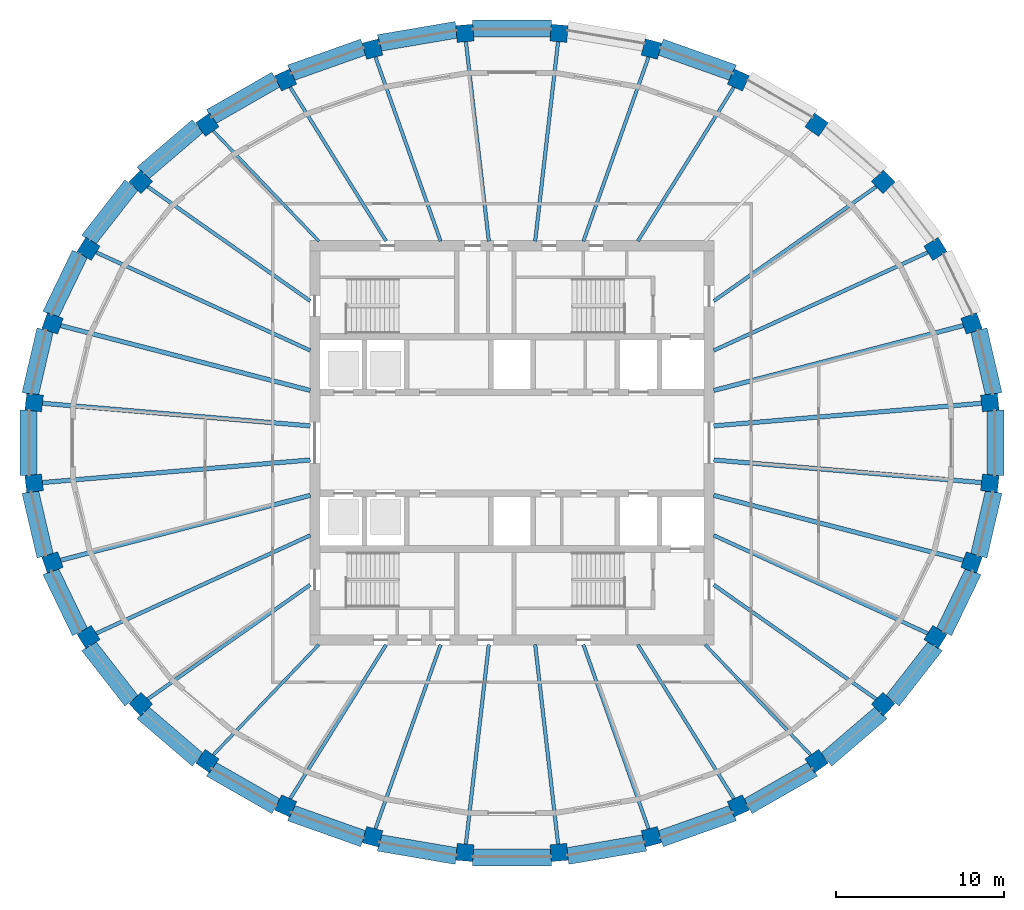
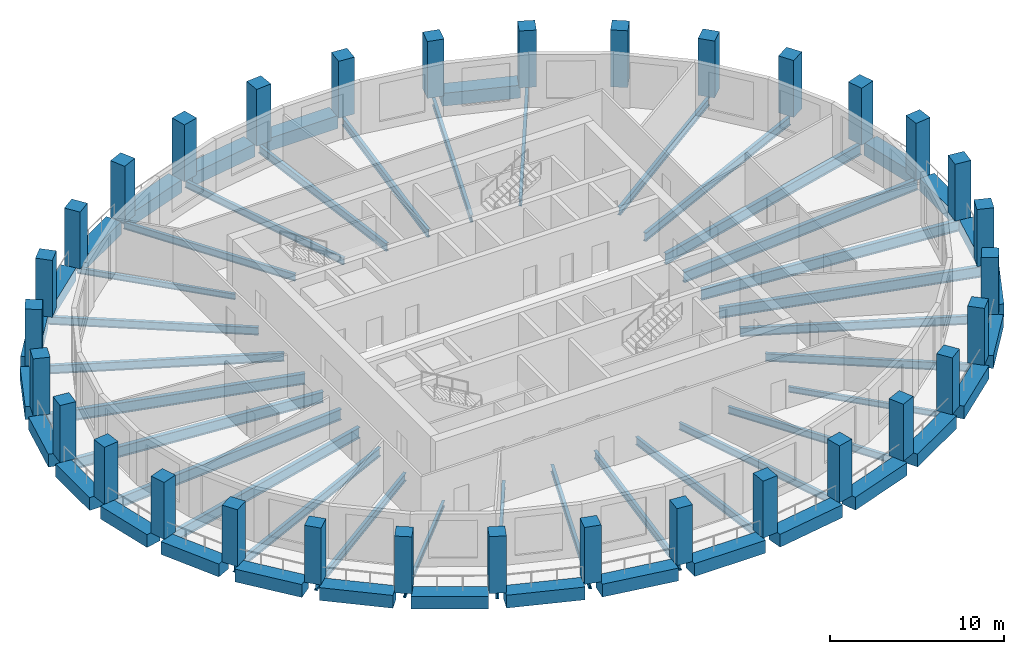
# One storey, part 1 of 10: 58 beams, 32 columns.
"""IFC4 building model written with IfcOpenShell, lengths in metres."""

from ifc_helpers import new_model, si_unit, direction, frame, origin, origin_2d, place, context, subcontext, project, spatial, rectangle, i_section, extrude, material, material_profile, profile_set, type_object, element, save


model = new_model("IFC4")

# Units and contexts
model_context = context("Model", 3, precision=1e-05, world=origin(), true_north=direction((0.0, 1.0)))
body_context = subcontext(model_context, "Body", "Model", "MODEL_VIEW")
ifc_project = project(units=[si_unit("LENGTHUNIT", "METRE"), si_unit("AREAUNIT", "SQUARE_METRE"), si_unit("VOLUMEUNIT", "CUBIC_METRE"), si_unit("PLANEANGLEUNIT", "RADIAN"), si_unit("MASSUNIT", "GRAM", prefix="KILO")], contexts=[model_context])

# Site, building, storey
site_placement = place(None, origin())
site = spatial("IfcSite", under=ifc_project, at=site_placement, CompositionType="ELEMENT")
building_placement = place(site_placement, origin())
building = spatial("IfcBuilding", under=site, at=building_placement, Name="Halqa Exchange Tower", CompositionType="ELEMENT")
storey_placement = place(building_placement, frame((0.0, 0.0, 312.300048828125)))
storey = spatial("IfcBuildingStorey", under=building, at=storey_placement, Name="L73", CompositionType="ELEMENT", Elevation=312.300048828125)

# Columns
ifc_material_1 = material(Name="Concrete C50/60", Category="concrete")
ifc_material_profile_1 = material_profile(ifc_material_1, rectangle(XDim=1.0, YDim=1.0, at=origin_2d()), Name="1000 x 1000")
ifc_profile_set_1 = profile_set([ifc_material_profile_1], Name="Concrete C50/60")
column_type = type_object("IfcColumnType", Name="RC ring column 1000 x 1000 C50/60", PredefinedType="COLUMN", material=ifc_profile_set_1)
for number, where, z_axis, x_axis, name in (
    (1, (28.36279296875, 2.394287109375, 0.0), (0.0, 0.0, 1.0), (-0.114160389816, 0.993462332148, 0.0), "Ring column 1"),
    (2, (27.272705078125, 7.09130859375, 0.0), (0.0, 0.0, 1.0), (-0.333624233576, 0.942706142321, 0.0), "Ring column 2"),
    (3, (25.134765625, 11.515625, 0.0), (0.0, 0.0, 1.0), (-0.529140496257, 0.848534227489, 0.0), "Ring column 3"),
    (4, (22.03076171875, 15.497314453125, 0.0), (0.0, 0.0, 1.0), (-0.691578612608, 0.722301199351, 0.0), "Ring column 4"),
    (5, (18.080078125, 18.883544921875, 0.0), (0.0, 0.0, 1.0), (-0.817906779671, 0.575350762377, 0.0), "Ring column 5"),
    (6, (13.434814453125, 21.544189453125, 0.0), (0.0, 0.0, 1.0), (-0.909128549752, 0.416515641994, 0.0), "Ring column 6"),
    (7, (8.273193359375, 23.376708984375, 0.0), (0.0, 0.0, 1.0), (-0.967819064366, 0.251647091481, 0.0), "Ring column 7"),
    (8, (2.79345703125, 24.31103515625, 0.0), (0.0, 0.0, 1.0), (-0.996455078514, 0.084126550533, 0.0), "Ring column 8"),
    (9, (-2.79345703125, 24.31103515625, 0.0), (0.0, 0.0, 1.0), (-0.996455078514, -0.084126550533, 0.0), "Ring column 9"),
    (10, (-8.273193359375, 23.376708984375, 0.0), (0.0, 0.0, 1.0), (-0.967819064366, -0.251647091481, 0.0), "Ring column 10"),
    (11, (-13.434814453125, 21.544189453125, 0.0), (0.0, 0.0, 1.0), (-0.909128549752, -0.416515641994, 0.0), "Ring column 11"),
    (12, (-18.080078125, 18.883544921875, 0.0), (0.0, 0.0, 1.0), (-0.817906779671, -0.575350762377, 0.0), "Ring column 12"),
    (13, (-22.03076171875, 15.497314453125, 0.0), (0.0, 0.0, 1.0), (-0.691578612608, -0.722301199351, 0.0), "Ring column 13"),
    (14, (-25.134765625, 11.515625, 0.0), (0.0, 0.0, 1.0), (-0.529140496257, -0.848534227489, 0.0), "Ring column 14"),
    (15, (-27.272705078125, 7.09130859375, 0.0), (0.0, 0.0, 1.0), (-0.333624233576, -0.942706142321, 0.0), "Ring column 15"),
    (16, (-28.36279296875, 2.394287109375, 0.0), (0.0, 0.0, 1.0), (-0.114160389816, -0.993462332148, 0.0), "Ring column 16"),
    (17, (-28.36279296875, -2.394287109375, 0.0), (0.0, 0.0, 1.0), (0.114160389816, -0.993462332148, 0.0), "Ring column 17"),
    (18, (-27.272705078125, -7.09130859375, 0.0), (0.0, 0.0, 1.0), (0.333624233576, -0.942706142321, 0.0), "Ring column 18"),
    (19, (-25.134765625, -11.515625, 0.0), (0.0, 0.0, 1.0), (0.529140496257, -0.848534227489, 0.0), "Ring column 19"),
    (20, (-22.03076171875, -15.497314453125, 0.0), (0.0, 0.0, 1.0), (0.691578612608, -0.722301199351, 0.0), "Ring column 20"),
    (21, (-18.080078125, -18.883544921875, 0.0), (0.0, 0.0, 1.0), (0.817906779671, -0.575350762377, 0.0), "Ring column 21"),
    (22, (-13.434814453125, -21.544189453125, 0.0), (0.0, 0.0, 1.0), (0.909128549752, -0.416515641994, 0.0), "Ring column 22"),
    (23, (-8.273193359375, -23.376708984375, 0.0), (0.0, 0.0, 1.0), (0.967819064366, -0.251647091481, 0.0), "Ring column 23"),
    (24, (-2.79345703125, -24.31103515625, 0.0), (0.0, 0.0, 1.0), (0.996455078514, -0.084126550533, 0.0), "Ring column 24"),
    (25, (2.79345703125, -24.31103515625, 0.0), (0.0, 0.0, 1.0), (0.996455078514, 0.084126550533, 0.0), "Ring column 25"),
    (26, (8.273193359375, -23.376708984375, 0.0), (0.0, 0.0, 1.0), (0.967819064366, 0.251647091481, 0.0), "Ring column 26"),
    (27, (13.434814453125, -21.544189453125, 0.0), (0.0, 0.0, 1.0), (0.909128549752, 0.416515641994, 0.0), "Ring column 27"),
    (28, (18.080078125, -18.883544921875, 0.0), (0.0, 0.0, 1.0), (0.817906779671, 0.575350762377, 0.0), "Ring column 28"),
    (29, (22.03076171875, -15.497314453125, 0.0), (0.0, 0.0, 1.0), (0.691578612608, 0.722301199351, 0.0), "Ring column 29"),
    (30, (25.134765625, -11.515625, 0.0), (0.0, 0.0, 1.0), (0.529140496257, 0.848534227489, 0.0), "Ring column 30"),
    (31, (27.272705078125, -7.09130859375, 0.0), (0.0, 0.0, 1.0), (0.333624233576, 0.942706142321, 0.0), "Ring column 31"),
    (32, (28.36279296875, -2.394287109375, 0.0), (0.0, 0.0, 1.0), (0.114160389816, 0.993462332148, 0.0), "Ring column 32"),
):
    element("IfcColumn", number, at=place(storey_placement, frame(where, z_axis=z_axis, x_axis=x_axis)), inside=storey, type_object=column_type, Name=name, PredefinedType="COLUMN", context=body_context, shape_type="SweptSolid", body=[
        extrude(rectangle(XDim=1.0, YDim=1.0, at=origin_2d()), origin(), (0.0, 0.0, 1.0), 4.0),
    ])

# Beams
ifc_material_2 = material(Name="Steel S355", Category="steel")
ifc_material_profile_2 = material_profile(ifc_material_2, i_section(OverallWidth=0.179931640625, OverallDepth=0.39990234375, WebThickness=0.008544921875, FlangeThickness=0.013427734375, FilletRadius=0.02099609375, at=origin_2d()), Name="IPE 400")
ifc_profile_set_2 = profile_set([ifc_material_profile_2], Name="Steel S355")
beam_type_1 = type_object("IfcBeamType", Name="Floor beam IPE 400", PredefinedType="BEAM", material=ifc_profile_set_2)
for number, where, z_axis, x_axis, name in (
    (33, (-11.46240234375, 11.9716796875, -0.5), (-0.69157007379, 0.722309374879, 0.0), (-0.722309374879, -0.69157007379, 0.0), "Radial beam 12"),
    (34, (-11.46240234375, -11.9716796875, -0.5), (-0.69157007379, -0.722309374879, 0.0), (0.722309374879, -0.69157007379, 0.0), "Radial beam 21"),
    (35, (11.46240234375, -11.9716796875, -0.5), (0.69157007379, -0.722309374879, 0.0), (0.722309374879, 0.69157007379, 0.0), "Radial beam 28"),
):
    element("IfcBeam", number, at=place(storey_placement, frame(where, z_axis=z_axis, x_axis=x_axis)), inside=storey, type_object=beam_type_1, Name=name, PredefinedType="BEAM", context=body_context, shape_type="SweptSolid", body=[
        extrude(i_section(OverallWidth=0.179931640625, OverallDepth=0.39990234375, WebThickness=0.008544921875, FlangeThickness=0.013427734375, FilletRadius=0.02099609375, at=origin_2d()), origin(), (0.0, 0.0, 1.0), 9.5068359375),
    ])
ifc_material_profile_3 = material_profile(ifc_material_2, i_section(OverallWidth=0.199951171875, OverallDepth=0.5, WebThickness=0.01025390625, FlangeThickness=0.01611328125, FilletRadius=0.02099609375, at=origin_2d()), Name="IPE 500")
ifc_profile_set_3 = profile_set([ifc_material_profile_3], Name="Steel S355")
beam_type_2 = type_object("IfcBeamType", Name="Floor beam IPE 500", PredefinedType="BEAM", material=ifc_profile_set_3)
beam_1_placement = place(storey_placement, frame((7.4658203125, 11.97216796875, -0.550048828125), z_axis=(0.529147047126, 0.848530142374, 0.0), x_axis=(-0.848530142374, 0.529147047126, 0.0)))
element("IfcBeam", 36, at=beam_1_placement, inside=storey, type_object=beam_type_2, Name="Radial beam 6", PredefinedType="BEAM", context=body_context, shape_type="SweptSolid", body=[
    extrude(i_section(OverallWidth=0.199951171875, OverallDepth=0.5, WebThickness=0.01025390625, FlangeThickness=0.01611328125, FilletRadius=0.02099609375, at=origin_2d()), origin(), (0.0, 0.0, 1.0), 11.20947265625),
])
for number, where, z_axis, x_axis, name in (
    (37, (4.237060546875, 11.97216796875, -0.550048828125), (0.33361780308, 0.942708418053, 0.0), (-0.942708418053, 0.33361780308, 0.0), "Radial beam 7"),
    (38, (-4.237060546875, 11.97216796875, -0.550048828125), (-0.33361780308, 0.942708418053, 0.0), (-0.942708418053, -0.33361780308, 0.0), "Radial beam 10"),
):
    element("IfcBeam", number, at=place(storey_placement, frame(where, z_axis=z_axis, x_axis=x_axis)), inside=storey, type_object=beam_type_2, Name=name, PredefinedType="BEAM", context=body_context, shape_type="SweptSolid", body=[
        extrude(i_section(OverallWidth=0.199951171875, OverallDepth=0.5, WebThickness=0.01025390625, FlangeThickness=0.01611328125, FilletRadius=0.02099609375, at=origin_2d()), origin(), (0.0, 0.0, 1.0), 12.021240234375),
    ])
for number, where, z_axis, x_axis, name in (
    (39, (-7.4658203125, 11.97216796875, -0.550048828125), (-0.529147047126, 0.848530142374, 0.0), (-0.848530142374, -0.529147047126, 0.0), "Radial beam 11"),
    (40, (-7.4658203125, -11.97216796875, -0.550048828125), (-0.529147047126, -0.848530142374, 0.0), (0.848530142374, -0.529147047126, 0.0), "Radial beam 22"),
):
    element("IfcBeam", number, at=place(storey_placement, frame(where, z_axis=z_axis, x_axis=x_axis)), inside=storey, type_object=beam_type_2, Name=name, PredefinedType="BEAM", context=body_context, shape_type="SweptSolid", body=[
        extrude(i_section(OverallWidth=0.199951171875, OverallDepth=0.5, WebThickness=0.01025390625, FlangeThickness=0.01611328125, FilletRadius=0.02099609375, at=origin_2d()), origin(), (0.0, 0.0, 1.0), 11.20947265625),
    ])
for number, where, z_axis, x_axis, name in (
    (41, (-4.237060546875, -11.97216796875, -0.550048828125), (-0.33361780308, -0.942708418053, 0.0), (0.942708418053, -0.33361780308, 0.0), "Radial beam 23"),
    (42, (4.237060546875, -11.97216796875, -0.550048828125), (0.33361780308, -0.942708418053, 0.0), (0.942708418053, 0.33361780308, 0.0), "Radial beam 26"),
):
    element("IfcBeam", number, at=place(storey_placement, frame(where, z_axis=z_axis, x_axis=x_axis)), inside=storey, type_object=beam_type_2, Name=name, PredefinedType="BEAM", context=body_context, shape_type="SweptSolid", body=[
        extrude(i_section(OverallWidth=0.199951171875, OverallDepth=0.5, WebThickness=0.01025390625, FlangeThickness=0.01611328125, FilletRadius=0.02099609375, at=origin_2d()), origin(), (0.0, 0.0, 1.0), 12.021240234375),
    ])
beam_2_placement = place(storey_placement, frame((7.4658203125, -11.97216796875, -0.550048828125), z_axis=(0.529147047126, -0.848530142374, 0.0), x_axis=(0.848530142374, 0.529147047126, 0.0)))
element("IfcBeam", 43, at=beam_2_placement, inside=storey, type_object=beam_type_2, Name="Radial beam 27", PredefinedType="BEAM", context=body_context, shape_type="SweptSolid", body=[
    extrude(i_section(OverallWidth=0.199951171875, OverallDepth=0.5, WebThickness=0.01025390625, FlangeThickness=0.01611328125, FilletRadius=0.02099609375, at=origin_2d()), origin(), (0.0, 0.0, 1.0), 11.20947265625),
])
ifc_material_profile_4 = material_profile(ifc_material_2, i_section(OverallWidth=0.2099609375, OverallDepth=0.550048828125, WebThickness=0.010986328125, FlangeThickness=0.01708984375, FilletRadius=0.02392578125, at=origin_2d()), Name="IPE 550")
ifc_profile_set_4 = profile_set([ifc_material_profile_4], Name="Steel S355")
beam_type_3 = type_object("IfcBeamType", Name="Floor beam IPE 550", PredefinedType="BEAM", material=ifc_profile_set_4)
beam_3_placement = place(storey_placement, frame((11.97265625, 8.422119140625, -0.574951171875), z_axis=(0.817912755627, 0.575342266988, 0.0), x_axis=(-0.575342266988, 0.817912755627, 0.0)))
element("IfcBeam", 44, at=beam_3_placement, inside=storey, type_object=beam_type_3, Name="Radial beam 4", PredefinedType="BEAM", context=body_context, shape_type="SweptSolid", body=[
    extrude(i_section(OverallWidth=0.2099609375, OverallDepth=0.550048828125, WebThickness=0.010986328125, FlangeThickness=0.01708984375, FilletRadius=0.02392578125, at=origin_2d()), origin(), (0.0, 0.0, 1.0), 12.24462890625),
])
for number, where, z_axis, x_axis, name in (
    (45, (1.37548828125, 11.9716796875, -0.574951171875), (0.114156338833, 0.993462797645, 0.0), (-0.993462797645, 0.114156338833, 0.0), "Radial beam 8"),
    (46, (-1.37548828125, 11.9716796875, -0.574951171875), (-0.114156338833, 0.993462797645, 0.0), (-0.993462797645, -0.114156338833, 0.0), "Radial beam 9"),
):
    element("IfcBeam", number, at=place(storey_placement, frame(where, z_axis=z_axis, x_axis=x_axis)), inside=storey, type_object=beam_type_3, Name=name, PredefinedType="BEAM", context=body_context, shape_type="SweptSolid", body=[
        extrude(i_section(OverallWidth=0.2099609375, OverallDepth=0.550048828125, WebThickness=0.010986328125, FlangeThickness=0.01708984375, FilletRadius=0.02392578125, at=origin_2d()), origin(), (0.0, 0.0, 1.0), 12.342041015625),
    ])
for number, where, z_axis, x_axis, name in (
    (47, (-11.97265625, 8.422119140625, -0.574951171875), (-0.817912755627, 0.575342266988, 0.0), (-0.575342266988, -0.817912755627, 0.0), "Radial beam 13"),
    (48, (-11.97265625, -8.422119140625, -0.574951171875), (-0.817912755627, -0.575342266988, 0.0), (0.575342266988, -0.817912755627, 0.0), "Radial beam 20"),
):
    element("IfcBeam", number, at=place(storey_placement, frame(where, z_axis=z_axis, x_axis=x_axis)), inside=storey, type_object=beam_type_3, Name=name, PredefinedType="BEAM", context=body_context, shape_type="SweptSolid", body=[
        extrude(i_section(OverallWidth=0.2099609375, OverallDepth=0.550048828125, WebThickness=0.010986328125, FlangeThickness=0.01708984375, FilletRadius=0.02392578125, at=origin_2d()), origin(), (0.0, 0.0, 1.0), 12.24462890625),
    ])
for number, where, z_axis, x_axis, name in (
    (49, (-1.37548828125, -11.9716796875, -0.574951171875), (-0.114156338833, -0.993462797645, 0.0), (0.993462797645, -0.114156338833, 0.0), "Radial beam 24"),
    (50, (1.37548828125, -11.9716796875, -0.574951171875), (0.114156338833, -0.993462797645, 0.0), (0.993462797645, 0.114156338833, 0.0), "Radial beam 25"),
):
    element("IfcBeam", number, at=place(storey_placement, frame(where, z_axis=z_axis, x_axis=x_axis)), inside=storey, type_object=beam_type_3, Name=name, PredefinedType="BEAM", context=body_context, shape_type="SweptSolid", body=[
        extrude(i_section(OverallWidth=0.2099609375, OverallDepth=0.550048828125, WebThickness=0.010986328125, FlangeThickness=0.01708984375, FilletRadius=0.02392578125, at=origin_2d()), origin(), (0.0, 0.0, 1.0), 12.342041015625),
    ])
beam_4_placement = place(storey_placement, frame((11.97265625, -8.422119140625, -0.574951171875), z_axis=(0.817912755627, -0.575342266988, 0.0), x_axis=(0.575342266988, 0.817912755627, 0.0)))
element("IfcBeam", 51, at=beam_4_placement, inside=storey, type_object=beam_type_3, Name="Radial beam 29", PredefinedType="BEAM", context=body_context, shape_type="SweptSolid", body=[
    extrude(i_section(OverallWidth=0.2099609375, OverallDepth=0.550048828125, WebThickness=0.010986328125, FlangeThickness=0.01708984375, FilletRadius=0.02392578125, at=origin_2d()), origin(), (0.0, 0.0, 1.0), 12.24462890625),
])
ifc_material_profile_5 = material_profile(ifc_material_2, i_section(OverallWidth=0.219970703125, OverallDepth=0.60009765625, WebThickness=0.011962890625, FlangeThickness=0.01904296875, FilletRadius=0.02392578125, at=origin_2d()), Name="IPE 600")
ifc_profile_set_5 = profile_set([ifc_material_profile_5], Name="Steel S355")
beam_type_4 = type_object("IfcBeamType", Name="Floor beam IPE 600", PredefinedType="BEAM", material=ifc_profile_set_5)
for number, where, z_axis, x_axis, name in (
    (52, (11.97216796875, 5.485107421875, -0.60009765625), (0.909125140618, 0.41652308303, 0.0), (-0.41652308303, 0.909125140618, 0.0), "Radial beam 3"),
    (53, (-11.97216796875, 5.485107421875, -0.60009765625), (-0.909125140618, 0.41652308303, 0.0), (-0.41652308303, -0.909125140618, 0.0), "Radial beam 14"),
    (54, (-11.97216796875, -5.485107421875, -0.60009765625), (-0.909125140618, -0.41652308303, 0.0), (0.41652308303, -0.909125140618, 0.0), "Radial beam 19"),
    (55, (11.97216796875, -5.485107421875, -0.60009765625), (0.909125140618, -0.41652308303, 0.0), (0.41652308303, 0.909125140618, 0.0), "Radial beam 30"),
):
    element("IfcBeam", number, at=place(storey_placement, frame(where, z_axis=z_axis, x_axis=x_axis)), inside=storey, type_object=beam_type_4, Name=name, PredefinedType="BEAM", context=body_context, shape_type="SweptSolid", body=[
        extrude(i_section(OverallWidth=0.219970703125, OverallDepth=0.60009765625, WebThickness=0.011962890625, FlangeThickness=0.01904296875, FilletRadius=0.02392578125, at=origin_2d()), origin(), (0.0, 0.0, 1.0), 14.434326171875),
    ])
ifc_material_profile_6 = material_profile(ifc_material_2, i_section(OverallWidth=0.264892578125, OverallDepth=0.7529296875, WebThickness=0.01318359375, FlangeThickness=0.01708984375, FilletRadius=0.01708984375, at=origin_2d()), Name="IPE 750x147")
ifc_profile_set_6 = profile_set([ifc_material_profile_6], Name="Steel S355")
beam_type_5 = type_object("IfcBeamType", Name="Floor beam IPE 750x147", PredefinedType="BEAM", material=ifc_profile_set_6)
beam_5_placement = place(storey_placement, frame((11.972900390625, 1.0107421875, -0.676513671875), z_axis=(0.996455440851, 0.084122258635, 0.0), x_axis=(-0.084122258635, 0.996455440851, 0.0)))
element("IfcBeam", 56, at=beam_5_placement, inside=storey, type_object=beam_type_5, Name="Radial beam 1", PredefinedType="BEAM", context=body_context, shape_type="SweptSolid", body=[
    extrude(i_section(OverallWidth=0.264892578125, OverallDepth=0.7529296875, WebThickness=0.01318359375, FlangeThickness=0.01708984375, FilletRadius=0.01708984375, at=origin_2d()), origin(), (0.0, 0.0, 1.0), 16.417724609375),
])
for number, where, z_axis, x_axis, name in (
    (57, (11.97265625, 3.113037109375, -0.676513671875), (0.967819792686, 0.25164429039, 0.0), (-0.25164429039, 0.967819792686, 0.0), "Radial beam 2"),
    (58, (-11.97265625, 3.113037109375, -0.676513671875), (-0.967819792686, 0.25164429039, 0.0), (-0.25164429039, -0.967819792686, 0.0), "Radial beam 15"),
):
    element("IfcBeam", number, at=place(storey_placement, frame(where, z_axis=z_axis, x_axis=x_axis)), inside=storey, type_object=beam_type_5, Name=name, PredefinedType="BEAM", context=body_context, shape_type="SweptSolid", body=[
        extrude(i_section(OverallWidth=0.264892578125, OverallDepth=0.7529296875, WebThickness=0.01318359375, FlangeThickness=0.01708984375, FilletRadius=0.01708984375, at=origin_2d()), origin(), (0.0, 0.0, 1.0), 15.773193359375),
    ])
for number, where, z_axis, x_axis, name in (
    (59, (-11.972900390625, 1.0107421875, -0.676513671875), (-0.996455440851, 0.084122258635, 0.0), (-0.084122258635, -0.996455440851, 0.0), "Radial beam 16"),
    (60, (-11.972900390625, -1.0107421875, -0.676513671875), (-0.996455440851, -0.084122258635, 0.0), (0.084122258635, -0.996455440851, 0.0), "Radial beam 17"),
):
    element("IfcBeam", number, at=place(storey_placement, frame(where, z_axis=z_axis, x_axis=x_axis)), inside=storey, type_object=beam_type_5, Name=name, PredefinedType="BEAM", context=body_context, shape_type="SweptSolid", body=[
        extrude(i_section(OverallWidth=0.264892578125, OverallDepth=0.7529296875, WebThickness=0.01318359375, FlangeThickness=0.01708984375, FilletRadius=0.01708984375, at=origin_2d()), origin(), (0.0, 0.0, 1.0), 16.417724609375),
    ])
for number, where, z_axis, x_axis, name in (
    (61, (-11.97265625, -3.113037109375, -0.676513671875), (-0.967819792686, -0.25164429039, 0.0), (0.25164429039, -0.967819792686, 0.0), "Radial beam 18"),
    (62, (11.97265625, -3.113037109375, -0.676513671875), (0.967819792686, -0.25164429039, 0.0), (0.25164429039, 0.967819792686, 0.0), "Radial beam 31"),
):
    element("IfcBeam", number, at=place(storey_placement, frame(where, z_axis=z_axis, x_axis=x_axis)), inside=storey, type_object=beam_type_5, Name=name, PredefinedType="BEAM", context=body_context, shape_type="SweptSolid", body=[
        extrude(i_section(OverallWidth=0.264892578125, OverallDepth=0.7529296875, WebThickness=0.01318359375, FlangeThickness=0.01708984375, FilletRadius=0.01708984375, at=origin_2d()), origin(), (0.0, 0.0, 1.0), 15.773193359375),
    ])
beam_6_placement = place(storey_placement, frame((11.972900390625, -1.0107421875, -0.676513671875), z_axis=(0.996455440851, -0.084122258635, 0.0), x_axis=(0.084122258635, 0.996455440851, 0.0)))
element("IfcBeam", 63, at=beam_6_placement, inside=storey, type_object=beam_type_5, Name="Radial beam 32", PredefinedType="BEAM", context=body_context, shape_type="SweptSolid", body=[
    extrude(i_section(OverallWidth=0.264892578125, OverallDepth=0.7529296875, WebThickness=0.01318359375, FlangeThickness=0.01708984375, FilletRadius=0.01708984375, at=origin_2d()), origin(), (0.0, 0.0, 1.0), 16.417724609375),
])
ifc_material_3 = material(Name="Concrete C60/75", Category="concrete")
ifc_material_profile_7 = material_profile(ifc_material_3, rectangle(XDim=1.0, YDim=0.89990234375, at=origin_2d()), Name="1000 x 900")
ifc_profile_set_7 = profile_set([ifc_material_profile_7], Name="Concrete C60/75")
beam_type_6 = type_object("IfcBeamType", Name="RC spandrel beam 1000 x 900 C60/75", PredefinedType="SPANDREL", material=ifc_profile_set_7)
beam_7_placement = place(storey_placement, frame((28.595703125, 2.885986328125, -0.449951171875), z_axis=(-0.225998131545, 0.974127735227, 0.0), x_axis=(-0.974127735227, -0.225998131545, 0.0)))
element("IfcBeam", 64, at=beam_7_placement, inside=storey, type_object=beam_type_6, Name="Spandrel 1", PredefinedType="SPANDREL", context=body_context, shape_type="SweptSolid", body=[
    extrude(rectangle(XDim=1.0, YDim=0.89990234375, at=origin_2d()), origin(), (0.0, 0.0, 1.0), 3.929931640625),
])
beam_8_placement = place(storey_placement, frame((13.149658203125, 21.961181640625, -0.449951171875), z_axis=(-0.942369952676, 0.33457267117, 0.0), x_axis=(-0.33457267117, -0.942369952676, 0.0)))
element("IfcBeam", 65, at=beam_8_placement, inside=storey, type_object=beam_type_6, Name="Spandrel 6", PredefinedType="SPANDREL", context=body_context, shape_type="SweptSolid", body=[
    extrude(rectangle(XDim=1.0, YDim=0.89990234375, at=origin_2d()), origin(), (0.0, 0.0, 1.0), 4.596435546875),
])
beam_9_placement = place(storey_placement, frame((2.35302734375, 24.602783203125, -0.449951171875), z_axis=(-1.0, 0.0, 0.0), x_axis=(0.0, -1.0, 0.0)))
element("IfcBeam", 66, at=beam_9_placement, inside=storey, type_object=beam_type_6, Name="Spandrel 8", PredefinedType="SPANDREL", context=body_context, shape_type="SweptSolid", body=[
    extrude(rectangle(XDim=1.0, YDim=0.89990234375, at=origin_2d()), origin(), (0.0, 0.0, 1.0), 4.7060546875),
])
beam_10_placement = place(storey_placement, frame((-3.294189453125, 24.523193359375, -0.449951171875), z_axis=(-0.985773363279, -0.168079969805, 0.0), x_axis=(0.168079969805, -0.985773363279, 0.0)))
element("IfcBeam", 67, at=beam_10_placement, inside=storey, type_object=beam_type_6, Name="Spandrel 9", PredefinedType="SPANDREL", context=body_context, shape_type="SweptSolid", body=[
    extrude(rectangle(XDim=1.0, YDim=0.89990234375, at=origin_2d()), origin(), (0.0, 0.0, 1.0), 4.67724609375),
])
beam_11_placement = place(storey_placement, frame((-8.818115234375, 23.4990234375, -0.449951171875), z_axis=(-0.942369952676, -0.33457267117, 0.0), x_axis=(0.33457267117, -0.942369952676, 0.0)))
element("IfcBeam", 68, at=beam_11_placement, inside=storey, type_object=beam_type_6, Name="Spandrel 10", PredefinedType="SPANDREL", context=body_context, shape_type="SweptSolid", body=[
    extrude(rectangle(XDim=1.0, YDim=0.89990234375, at=origin_2d()), origin(), (0.0, 0.0, 1.0), 4.596435546875),
])
beam_12_placement = place(storey_placement, frame((-14.008056640625, 21.56689453125, -0.449951171875), z_axis=(-0.867738419342, -0.497021162123, 0.0), x_axis=(0.497021162123, -0.867738419342, 0.0)))
element("IfcBeam", 69, at=beam_12_placement, inside=storey, type_object=beam_type_6, Name="Spandrel 11", PredefinedType="SPANDREL", context=body_context, shape_type="SweptSolid", body=[
    extrude(rectangle(XDim=1.0, YDim=0.89990234375, at=origin_2d()), origin(), (0.0, 0.0, 1.0), 4.468994140625),
])
beam_13_placement = place(storey_placement, frame((-18.65771484375, 18.801025390625, -0.449951171875), z_axis=(-0.759264587282, -0.650782057604, 0.0), x_axis=(0.650782057604, -0.759264587282, 0.0)))
element("IfcBeam", 70, at=beam_13_placement, inside=storey, type_object=beam_type_6, Name="Spandrel 12", PredefinedType="SPANDREL", context=body_context, shape_type="SweptSolid", body=[
    extrude(rectangle(XDim=1.0, YDim=0.89990234375, at=origin_2d()), origin(), (0.0, 0.0, 1.0), 4.31640625),
])
beam_14_placement = place(storey_placement, frame((-22.58642578125, 15.309814453125, -0.449951171875), z_axis=(-0.614813616622, -0.788672439493, 0.0), x_axis=(0.788672439493, -0.614813616622, 0.0)))
element("IfcBeam", 71, at=beam_14_placement, inside=storey, type_object=beam_type_6, Name="Spandrel 13", PredefinedType="SPANDREL", context=body_context, shape_type="SweptSolid", body=[
    extrude(rectangle(XDim=1.0, YDim=0.89990234375, at=origin_2d()), origin(), (0.0, 0.0, 1.0), 4.160888671875),
])
beam_15_placement = place(storey_placement, frame((-25.642822265625, 11.226806640625, -0.449951171875), z_axis=(-0.43510880849, -0.900377878879, 0.0), x_axis=(0.900377878879, -0.43510880849, 0.0)))
element("IfcBeam", 72, at=beam_15_placement, inside=storey, type_object=beam_type_6, Name="Spandrel 14", PredefinedType="SPANDREL", context=body_context, shape_type="SweptSolid", body=[
    extrude(rectangle(XDim=1.0, YDim=0.89990234375, at=origin_2d()), origin(), (0.0, 0.0, 1.0), 4.023193359375),
])
beam_16_placement = place(storey_placement, frame((-27.70751953125, 6.71435546875, -0.449951171875), z_axis=(-0.225998131545, -0.974127735227, 0.0), x_axis=(0.974127735227, -0.225998131545, 0.0)))
element("IfcBeam", 73, at=beam_16_placement, inside=storey, type_object=beam_type_6, Name="Spandrel 15", PredefinedType="SPANDREL", context=body_context, shape_type="SweptSolid", body=[
    extrude(rectangle(XDim=1.0, YDim=0.89990234375, at=origin_2d()), origin(), (0.0, 0.0, 1.0), 3.929931640625),
])
beam_17_placement = place(storey_placement, frame((-28.703125, 1.947998046875, -0.449951171875), z_axis=(0.0, -1.0, 0.0), x_axis=(1.0, 0.0, 0.0)))
element("IfcBeam", 74, at=beam_17_placement, inside=storey, type_object=beam_type_6, Name="Spandrel 16", PredefinedType="SPANDREL", context=body_context, shape_type="SweptSolid", body=[
    extrude(rectangle(XDim=1.0, YDim=0.89990234375, at=origin_2d()), origin(), (0.0, 0.0, 1.0), 3.89599609375),
])
beam_18_placement = place(storey_placement, frame((-28.595703125, -2.885986328125, -0.449951171875), z_axis=(0.225998131545, -0.974127735227, 0.0), x_axis=(0.974127735227, 0.225998131545, 0.0)))
element("IfcBeam", 75, at=beam_18_placement, inside=storey, type_object=beam_type_6, Name="Spandrel 17", PredefinedType="SPANDREL", context=body_context, shape_type="SweptSolid", body=[
    extrude(rectangle(XDim=1.0, YDim=0.89990234375, at=origin_2d()), origin(), (0.0, 0.0, 1.0), 3.929931640625),
])
beam_19_placement = place(storey_placement, frame((-27.393310546875, -7.6044921875, -0.449951171875), z_axis=(0.43510880849, -0.900377878879, 0.0), x_axis=(0.900377878879, 0.43510880849, 0.0)))
element("IfcBeam", 76, at=beam_19_placement, inside=storey, type_object=beam_type_6, Name="Spandrel 18", PredefinedType="SPANDREL", context=body_context, shape_type="SweptSolid", body=[
    extrude(rectangle(XDim=1.0, YDim=0.89990234375, at=origin_2d()), origin(), (0.0, 0.0, 1.0), 4.023193359375),
])
beam_20_placement = place(storey_placement, frame((-25.14453125, -12.0283203125, -0.449951171875), z_axis=(0.614813616622, -0.788672439493, 0.0), x_axis=(0.788672439493, 0.614813616622, 0.0)))
element("IfcBeam", 77, at=beam_20_placement, inside=storey, type_object=beam_type_6, Name="Spandrel 19", PredefinedType="SPANDREL", context=body_context, shape_type="SweptSolid", body=[
    extrude(rectangle(XDim=1.0, YDim=0.89990234375, at=origin_2d()), origin(), (0.0, 0.0, 1.0), 4.160888671875),
])
beam_21_placement = place(storey_placement, frame((-21.93505859375, -15.991943359375, -0.449951171875), z_axis=(0.759264587282, -0.650782057604, 0.0), x_axis=(0.650782057604, 0.759264587282, 0.0)))
element("IfcBeam", 78, at=beam_21_placement, inside=storey, type_object=beam_type_6, Name="Spandrel 20", PredefinedType="SPANDREL", context=body_context, shape_type="SweptSolid", body=[
    extrude(rectangle(XDim=1.0, YDim=0.89990234375, at=origin_2d()), origin(), (0.0, 0.0, 1.0), 4.31640625),
])
beam_22_placement = place(storey_placement, frame((-17.885986328125, -19.345703125, -0.449951171875), z_axis=(0.867738419342, -0.497021162123, 0.0), x_axis=(0.497021162123, 0.867738419342, 0.0)))
element("IfcBeam", 79, at=beam_22_placement, inside=storey, type_object=beam_type_6, Name="Spandrel 21", PredefinedType="SPANDREL", context=body_context, shape_type="SweptSolid", body=[
    extrude(rectangle(XDim=1.0, YDim=0.89990234375, at=origin_2d()), origin(), (0.0, 0.0, 1.0), 4.468994140625),
])
beam_23_placement = place(storey_placement, frame((-13.149658203125, -21.961181640625, -0.449951171875), z_axis=(0.942369952676, -0.33457267117, 0.0), x_axis=(0.33457267117, 0.942369952676, 0.0)))
element("IfcBeam", 80, at=beam_23_placement, inside=storey, type_object=beam_type_6, Name="Spandrel 22", PredefinedType="SPANDREL", context=body_context, shape_type="SweptSolid", body=[
    extrude(rectangle(XDim=1.0, YDim=0.89990234375, at=origin_2d()), origin(), (0.0, 0.0, 1.0), 4.596435546875),
])
beam_24_placement = place(storey_placement, frame((-7.90478515625, -23.737060546875, -0.449951171875), z_axis=(0.985773363279, -0.168079969805, 0.0), x_axis=(0.168079969805, 0.985773363279, 0.0)))
element("IfcBeam", 81, at=beam_24_placement, inside=storey, type_object=beam_type_6, Name="Spandrel 23", PredefinedType="SPANDREL", context=body_context, shape_type="SweptSolid", body=[
    extrude(rectangle(XDim=1.0, YDim=0.89990234375, at=origin_2d()), origin(), (0.0, 0.0, 1.0), 4.67724609375),
])
beam_25_placement = place(storey_placement, frame((-2.35302734375, -24.602783203125, -0.449951171875), z_axis=(1.0, 0.0, 0.0), x_axis=(0.0, 1.0, 0.0)))
element("IfcBeam", 82, at=beam_25_placement, inside=storey, type_object=beam_type_6, Name="Spandrel 24", PredefinedType="SPANDREL", context=body_context, shape_type="SweptSolid", body=[
    extrude(rectangle(XDim=1.0, YDim=0.89990234375, at=origin_2d()), origin(), (0.0, 0.0, 1.0), 4.7060546875),
])
beam_26_placement = place(storey_placement, frame((3.294189453125, -24.523193359375, -0.449951171875), z_axis=(0.985773363279, 0.168079969805, 0.0), x_axis=(-0.168079969805, 0.985773363279, 0.0)))
element("IfcBeam", 83, at=beam_26_placement, inside=storey, type_object=beam_type_6, Name="Spandrel 25", PredefinedType="SPANDREL", context=body_context, shape_type="SweptSolid", body=[
    extrude(rectangle(XDim=1.0, YDim=0.89990234375, at=origin_2d()), origin(), (0.0, 0.0, 1.0), 4.67724609375),
])
beam_27_placement = place(storey_placement, frame((8.818115234375, -23.4990234375, -0.449951171875), z_axis=(0.942369952676, 0.33457267117, 0.0), x_axis=(-0.33457267117, 0.942369952676, 0.0)))
element("IfcBeam", 84, at=beam_27_placement, inside=storey, type_object=beam_type_6, Name="Spandrel 26", PredefinedType="SPANDREL", context=body_context, shape_type="SweptSolid", body=[
    extrude(rectangle(XDim=1.0, YDim=0.89990234375, at=origin_2d()), origin(), (0.0, 0.0, 1.0), 4.596435546875),
])
beam_28_placement = place(storey_placement, frame((14.008056640625, -21.56689453125, -0.449951171875), z_axis=(0.867738419342, 0.497021162123, 0.0), x_axis=(-0.497021162123, 0.867738419342, 0.0)))
element("IfcBeam", 85, at=beam_28_placement, inside=storey, type_object=beam_type_6, Name="Spandrel 27", PredefinedType="SPANDREL", context=body_context, shape_type="SweptSolid", body=[
    extrude(rectangle(XDim=1.0, YDim=0.89990234375, at=origin_2d()), origin(), (0.0, 0.0, 1.0), 4.468994140625),
])
beam_29_placement = place(storey_placement, frame((18.65771484375, -18.801025390625, -0.449951171875), z_axis=(0.759264587282, 0.650782057604, 0.0), x_axis=(-0.650782057604, 0.759264587282, 0.0)))
element("IfcBeam", 86, at=beam_29_placement, inside=storey, type_object=beam_type_6, Name="Spandrel 28", PredefinedType="SPANDREL", context=body_context, shape_type="SweptSolid", body=[
    extrude(rectangle(XDim=1.0, YDim=0.89990234375, at=origin_2d()), origin(), (0.0, 0.0, 1.0), 4.31640625),
])
beam_30_placement = place(storey_placement, frame((22.58642578125, -15.309814453125, -0.449951171875), z_axis=(0.614813616622, 0.788672439493, 0.0), x_axis=(-0.788672439493, 0.614813616622, 0.0)))
element("IfcBeam", 87, at=beam_30_placement, inside=storey, type_object=beam_type_6, Name="Spandrel 29", PredefinedType="SPANDREL", context=body_context, shape_type="SweptSolid", body=[
    extrude(rectangle(XDim=1.0, YDim=0.89990234375, at=origin_2d()), origin(), (0.0, 0.0, 1.0), 4.160888671875),
])
beam_31_placement = place(storey_placement, frame((25.642822265625, -11.226806640625, -0.449951171875), z_axis=(0.43510880849, 0.900377878879, 0.0), x_axis=(-0.900377878879, 0.43510880849, 0.0)))
element("IfcBeam", 88, at=beam_31_placement, inside=storey, type_object=beam_type_6, Name="Spandrel 30", PredefinedType="SPANDREL", context=body_context, shape_type="SweptSolid", body=[
    extrude(rectangle(XDim=1.0, YDim=0.89990234375, at=origin_2d()), origin(), (0.0, 0.0, 1.0), 4.023193359375),
])
beam_32_placement = place(storey_placement, frame((27.70751953125, -6.71435546875, -0.449951171875), z_axis=(0.225998131545, 0.974127735227, 0.0), x_axis=(-0.974127735227, 0.225998131545, 0.0)))
element("IfcBeam", 89, at=beam_32_placement, inside=storey, type_object=beam_type_6, Name="Spandrel 31", PredefinedType="SPANDREL", context=body_context, shape_type="SweptSolid", body=[
    extrude(rectangle(XDim=1.0, YDim=0.89990234375, at=origin_2d()), origin(), (0.0, 0.0, 1.0), 3.929931640625),
])
beam_33_placement = place(storey_placement, frame((28.703125, -1.947998046875, -0.449951171875), z_axis=(0.0, 1.0, 0.0), x_axis=(-1.0, 0.0, 0.0)))
element("IfcBeam", 90, at=beam_33_placement, inside=storey, type_object=beam_type_6, Name="Spandrel 32", PredefinedType="SPANDREL", context=body_context, shape_type="SweptSolid", body=[
    extrude(rectangle(XDim=1.0, YDim=0.89990234375, at=origin_2d()), origin(), (0.0, 0.0, 1.0), 3.89599609375),
])

save(model, "model.ifc")
